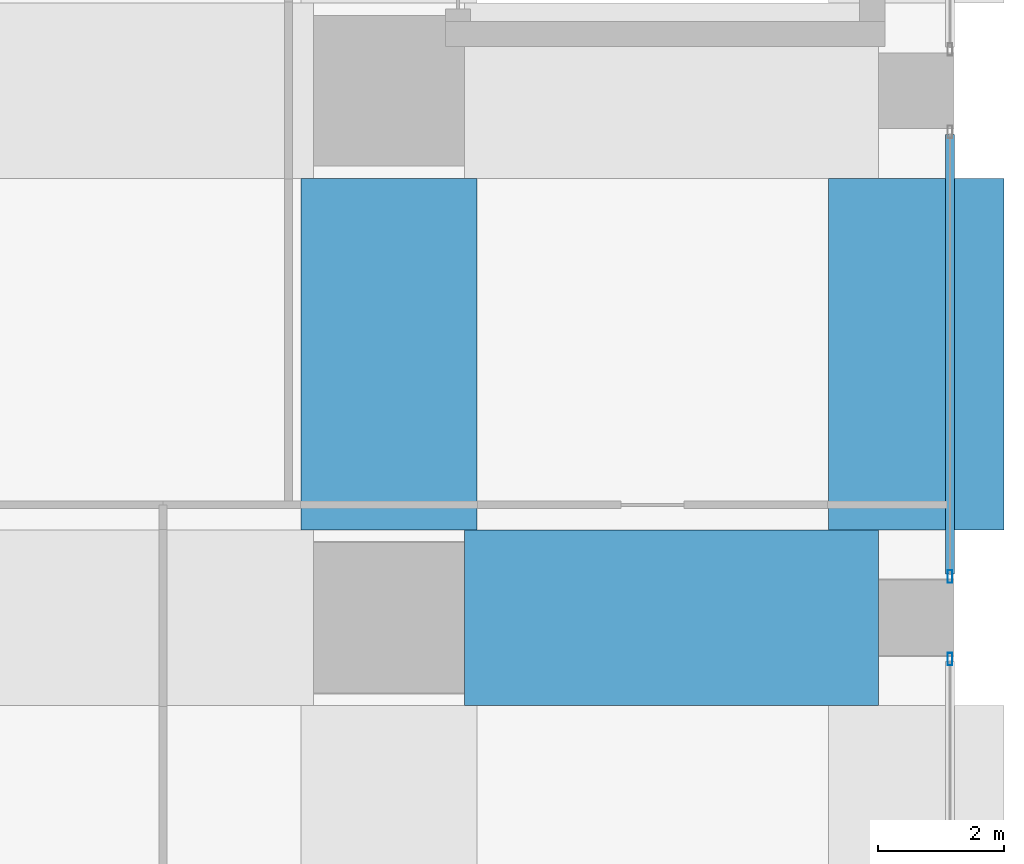
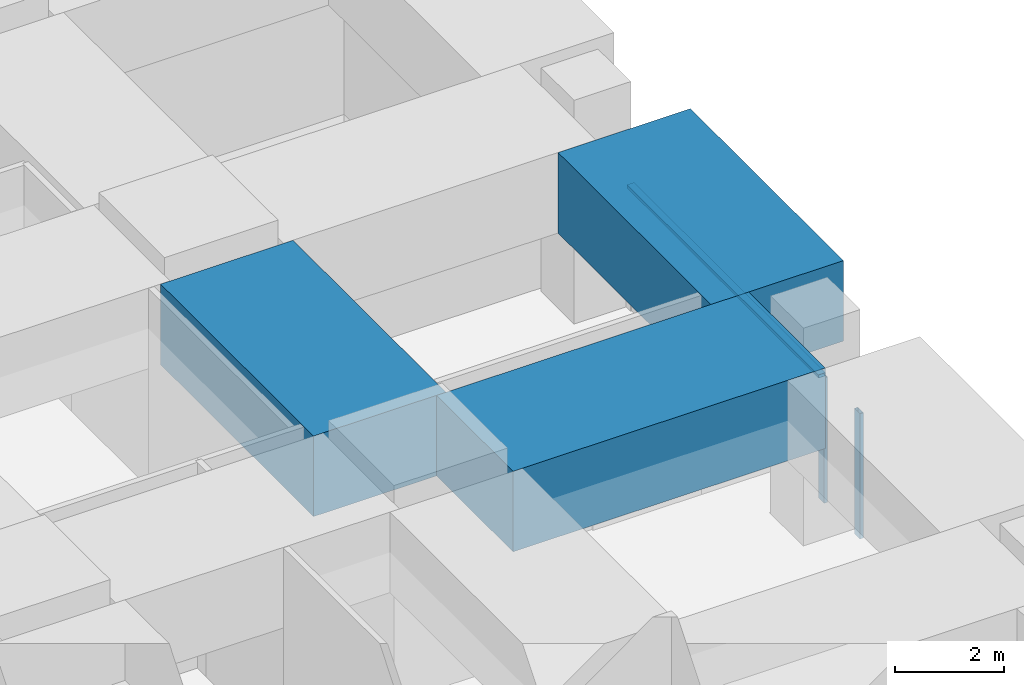
# One storey, part 32 of 52: 3 beams, 3 members, 2 elements without a shape of their own.
"""IFC4 building model written with IfcOpenShell, lengths in metres."""

from ifc_helpers import new_model, si_unit, direction, frame, origin, origin_2d, place, context, subcontext, project, spatial, rectangle, hollow_rectangle, extrude, material, material_profile, profile_set, type_object, element, aggregate, save


model = new_model("IFC4")

# Units and contexts
model_context = context("Model", 3, precision=1e-05, world=origin(), true_north=direction((0.0, 1.0)))
body_context = subcontext(model_context, "Body", "Model", "MODEL_VIEW")
ifc_project = project(units=[si_unit("LENGTHUNIT", "METRE"), si_unit("AREAUNIT", "SQUARE_METRE"), si_unit("VOLUMEUNIT", "CUBIC_METRE"), si_unit("PLANEANGLEUNIT", "RADIAN"), si_unit("MASSUNIT", "GRAM", prefix="KILO")], contexts=[model_context])

# Site, building, storey
site_placement = place(None, origin())
site = spatial("IfcSite", under=ifc_project, at=site_placement, CompositionType="ELEMENT")
building_placement = place(site_placement, origin())
building = spatial("IfcBuilding", under=site, at=building_placement, Name="Rekha Terrace Tower", CompositionType="ELEMENT")
storey_placement = place(building_placement, frame((0.0, 0.0, 20.39990234375)))
storey = spatial("IfcBuildingStorey", under=building, at=storey_placement, Name="L04", CompositionType="ELEMENT", Elevation=20.39990234375)

# Curtain wall, member
ifc_material_1 = material(Name="Aluminium framing", Category="aluminium")
curtain_wall_type = type_object("IfcCurtainWallType", Name="CW4 podium shopfront glazing", PredefinedType="USERDEFINED", material=ifc_material_1)
curtain_wall_1_placement = place(storey_placement, origin())
curtain_wall_1 = element("IfcCurtainWall", 1, at=curtain_wall_1_placement, inside=storey, type_object=curtain_wall_type, Name="CW4 shopfront curtain wall", ObjectType="SHOPFRONT CURTAIN WALL", PredefinedType="USERDEFINED")
ifc_material_2 = material(Name="Aluminium mullion section", Category="aluminium")
ifc_material_profile_1 = material_profile(ifc_material_2, hollow_rectangle(XDim=0.074951171875, YDim=0.199951171875, WallThickness=0.00390625, at=origin_2d()), Name="AL RHS 75x200")
ifc_profile_set_1 = profile_set([ifc_material_profile_1], Name="Aluminium mullion section")
member_type_1 = type_object("IfcMemberType", Name="CW4 mullion RHS 75 x 200", PredefinedType="MULLION", material=ifc_profile_set_1)
member_1_placement = place(storey_placement, frame((76.139892578125, 16.142578125, 0.0), z_axis=(0.0, 0.0, 1.0), x_axis=(-1.0, 0.0, 0.0)))
member_1 = element("IfcMember", 2, at=member_1_placement, type_object=member_type_1, Name="CW4 mullion 2", PredefinedType="MULLION", context=body_context, shape_type="SweptSolid", body=[
    extrude(hollow_rectangle(XDim=0.074951171875, YDim=0.199951171875, WallThickness=0.00390625, at=origin_2d()), origin(), (0.0, 0.0, 1.0), 2.800048828125),
])
aggregate(curtain_wall_1, [member_1])

# Curtain wall, members
curtain_wall_2_placement = place(storey_placement, origin())
curtain_wall_2 = element("IfcCurtainWall", 3, at=curtain_wall_2_placement, inside=storey, type_object=curtain_wall_type, Name="CW4 shopfront curtain wall", ObjectType="SHOPFRONT CURTAIN WALL", PredefinedType="USERDEFINED")
member_2_placement = place(storey_placement, frame((76.139892578125, 17.45751953125, 0.0), z_axis=(0.0, 0.0, 1.0), x_axis=(-1.0, 0.0, 0.0)))
member_2 = element("IfcMember", 4, at=member_2_placement, type_object=member_type_1, Name="CW4 mullion 1", PredefinedType="MULLION", context=body_context, shape_type="SweptSolid", body=[
    extrude(hollow_rectangle(XDim=0.074951171875, YDim=0.199951171875, WallThickness=0.00390625, at=origin_2d()), origin(), (0.0, 0.0, 1.0), 2.800048828125),
])
ifc_material_3 = material(Name="Aluminium transom section", Category="aluminium")
ifc_material_profile_2 = material_profile(ifc_material_3, hollow_rectangle(XDim=0.14990234375, YDim=0.074951171875, WallThickness=0.0029296875, at=origin_2d()), Name="AL RHS 150x75")
ifc_profile_set_2 = profile_set([ifc_material_profile_2], Name="Aluminium transom section")
member_type_2 = type_object("IfcMemberType", Name="CW4 transom RHS 75 x 150", PredefinedType="USERDEFINED", material=ifc_profile_set_2)
member_3_placement = place(storey_placement, frame((76.139892578125, 17.4951171875, 2.7626953125), z_axis=(0.0, 1.0, 0.0), x_axis=(-1.0, 0.0, 0.0)))
member_3 = element("IfcMember", 5, at=member_3_placement, type_object=member_type_2, Name="CW4 transom 1.2", ObjectType="TRANSOM", PredefinedType="USERDEFINED", context=body_context, shape_type="SweptSolid", body=[
    extrude(hollow_rectangle(XDim=0.14990234375, YDim=0.074951171875, WallThickness=0.0029296875, at=origin_2d()), origin(), (0.0, 0.0, 1.0), 7.009765625),
])
aggregate(curtain_wall_2, [member_2, member_3])

# Beams
ifc_material_4 = material(Name="Concrete M70", Category="concrete")
ifc_material_profile_3 = material_profile(ifc_material_4, rectangle(XDim=2.800048828125, YDim=1.800048828125, at=origin_2d()), Name="RC 2800x1800")
ifc_profile_set_3 = profile_set([ifc_material_profile_3], Name="Concrete M70")
beam_type = type_object("IfcBeamType", Name="G2 2800x1800 podium roof band beam", PredefinedType="BEAM", material=ifc_profile_set_3)
beam_placement = place(storey_placement, frame((68.39990234375, 16.800048828125, 3.7001953125), z_axis=(1.0, 0.0, 0.0), x_axis=(0.0, 1.0, 0.0)))
element("IfcBeam", 6, at=beam_placement, inside=storey, type_object=beam_type, Name="Beam G2 9C-10C under L05", PredefinedType="BEAM", context=body_context, shape_type="SweptSolid", body=[
    extrude(rectangle(XDim=2.800048828125, YDim=1.800048828125, at=origin_2d()), origin(), (0.0, 0.0, 1.0), 6.60009765625),
])
for number, where, z_axis, x_axis, name in (
    (7, (67.199951171875, 18.199951171875, 3.7001953125), (0.0, 1.0, 0.0), (-1.0, 0.0, 0.0), "Beam G2 9C-9D under L05"),
    (8, (75.60009765625, 18.199951171875, 3.7001953125), (0.0, 1.0, 0.0), (-1.0, 0.0, 0.0), "Beam G2 10C-10D under L05"),
):
    element("IfcBeam", number, at=place(storey_placement, frame(where, z_axis=z_axis, x_axis=x_axis)), inside=storey, type_object=beam_type, Name=name, PredefinedType="BEAM", context=body_context, shape_type="SweptSolid", body=[
        extrude(rectangle(XDim=2.800048828125, YDim=1.800048828125, at=origin_2d()), origin(), (0.0, 0.0, 1.0), 5.60009765625),
    ])

save(model, "model.ifc")
